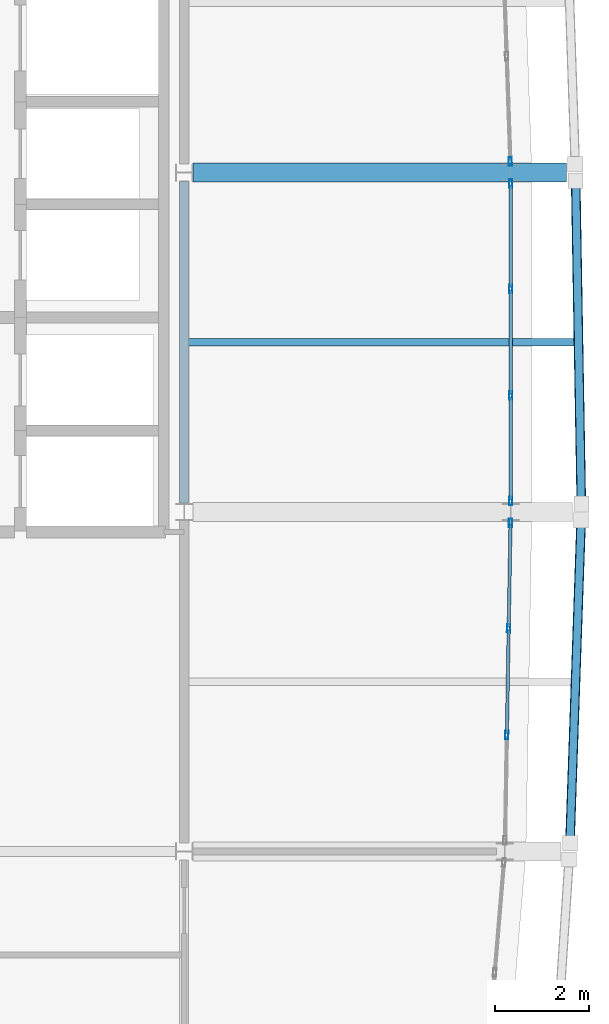
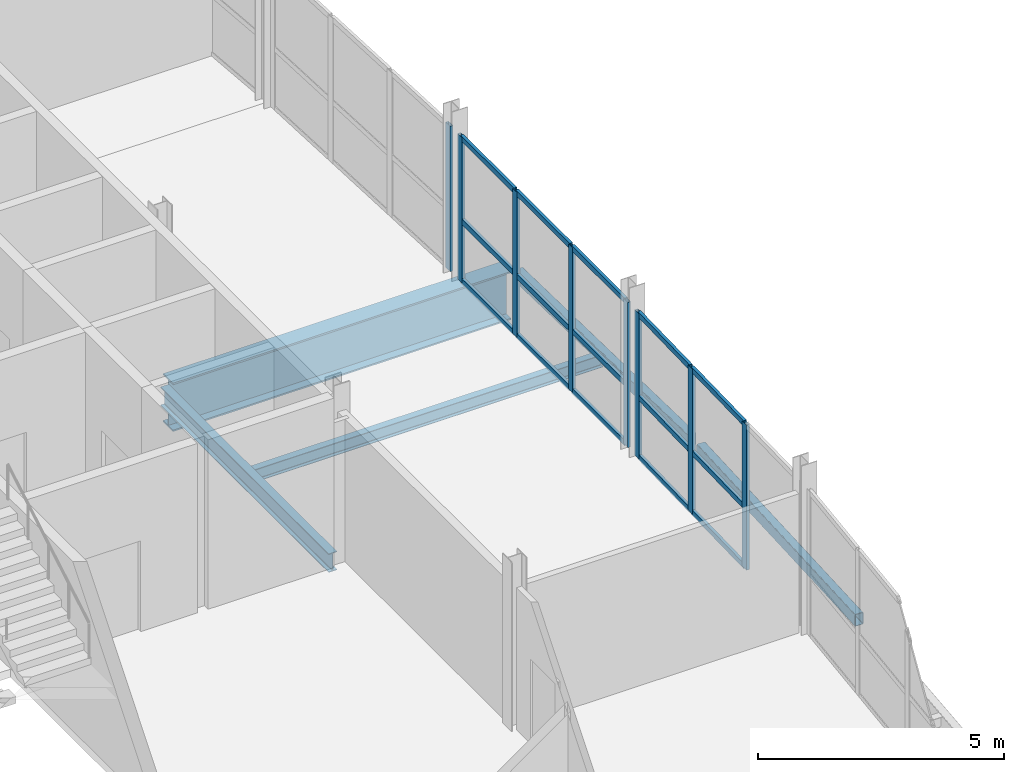
# One storey, part 5 of 19: 23 members, 5 beams, 3 elements without a shape of their own.
"""IFC4 building model written with IfcOpenShell, lengths in metres."""

from ifc_helpers import new_model, si_unit, direction, frame, origin, origin_2d, place, context, subcontext, project, spatial, hollow_rectangle, i_section, extrude, material, layer, layer_set, material_profile, profile_set, type_object, element, aggregate, save


model = new_model("IFC4")

# Units and contexts
model_context = context("Model", 3, precision=1e-05, world=origin(), true_north=direction((0.0, 1.0)))
body_context = subcontext(model_context, "Body", "Model", "MODEL_VIEW")
ifc_project = project(units=[si_unit("LENGTHUNIT", "METRE"), si_unit("AREAUNIT", "SQUARE_METRE"), si_unit("VOLUMEUNIT", "CUBIC_METRE"), si_unit("PLANEANGLEUNIT", "RADIAN"), si_unit("MASSUNIT", "GRAM", prefix="KILO")], contexts=[model_context])

# Site, building, storey
site_placement = place(None, origin())
site = spatial("IfcSite", under=ifc_project, at=site_placement, CompositionType="ELEMENT")
building_placement = place(site_placement, origin())
building = spatial("IfcBuilding", under=site, at=building_placement, Name="Quillay Park Conservatory", CompositionType="ELEMENT")
storey_placement = place(building_placement, frame((0.0, 0.0, 35.10009765625)))
storey = spatial("IfcBuildingStorey", under=building, at=storey_placement, Name="L08", CompositionType="ELEMENT", Elevation=35.10009765625)

# Beam
ifc_material_1 = material(Name="Steel ASTM A992 Grade 50", Category="steel")
ifc_material_profile_1 = material_profile(ifc_material_1, i_section(OverallWidth=0.166015625, OverallDepth=0.31298828125, WebThickness=0.006591796875, FlangeThickness=0.01123046875, FilletRadius=0.010009765625, at=origin_2d()), Name="W310x45")
ifc_profile_set_1 = profile_set([ifc_material_profile_1], Name="Steel ASTM A992 Grade 50")
beam_type_1 = type_object("IfcBeamType", Name="COMPOSITE FLOOR JOIST W310 X45", PredefinedType="JOIST", material=ifc_profile_set_1)
beam_1_placement = place(storey_placement, frame((19.845947265625, 88.800048828125, -0.37158203125), z_axis=(1.0, 0.0, 0.0), x_axis=(0.0, 1.0, 0.0)))
element("IfcBeam", 1, at=beam_1_placement, inside=storey, type_object=beam_type_1, Name="L08 beam BM-J-0631", PredefinedType="JOIST", context=body_context, shape_type="SweptSolid", body=[
    extrude(i_section(OverallWidth=0.166015625, OverallDepth=0.31298828125, WebThickness=0.006591796875, FlangeThickness=0.01123046875, FilletRadius=0.010009765625, at=origin_2d()), origin(), (0.0, 0.0, 1.0), 8.16650390625),
])

# Curtain wall, members
ifc_material_2 = material(Name="Thermally Broken Anodised Aluminium 6063-T6", Category="aluminium")
ifc_layer = layer(ifc_material_2, 0.179931640625)
ifc_layer_set = layer_set([ifc_layer], Name="UNITISED CURTAIN WALL TOWER (Thermally Broken Anodised Aluminium 6063-T6)")
curtain_wall_type = type_object("IfcCurtainWallType", Name="UNITISED CURTAIN WALL TOWER", PredefinedType="USERDEFINED", material=ifc_layer_set)
curtain_wall_1_placement = place(storey_placement, origin())
curtain_wall_1 = element("IfcCurtainWall", 2, at=curtain_wall_1_placement, inside=storey, type_object=curtain_wall_type, Name="L08 Unitised Curtain Wall 079", ObjectType="UNITISED CURTAIN WALL", PredefinedType="USERDEFINED")
ifc_material_3 = material(Name="Thermally Broken Anodised Aluminium 6063-T6", Category="aluminium")
ifc_material_profile_2 = material_profile(ifc_material_3, hollow_rectangle(XDim=0.070068359375, YDim=0.179931640625, WallThickness=0.00390625, at=origin_2d()), Name="AL70x180x4")
ifc_profile_set_2 = profile_set([ifc_material_profile_2], Name="Thermally Broken Anodised Aluminium 6063-T6")
member_type_1 = type_object("IfcMemberType", Name="CURTAIN WALL MULLION 70 X180", PredefinedType="MULLION", material=ifc_profile_set_2)
member_1_placement = place(storey_placement, frame((26.6708984375, 84.965087890625, 0.0), z_axis=(0.0, 0.0, 1.0), x_axis=(0.999849471711, -0.017350329071, 0.0)))
member_1 = element("IfcMember", 3, at=member_1_placement, type_object=member_type_1, Name="CW-T1 mullion 1", PredefinedType="MULLION", context=body_context, shape_type="SweptSolid", body=[
    extrude(hollow_rectangle(XDim=0.070068359375, YDim=0.179931640625, WallThickness=0.00390625, at=origin_2d()), origin(), (0.0, 0.0, 1.0), 3.598876953125),
])
member_2_placement = place(storey_placement, frame((26.632080078125, 82.7333984375, 0.0), z_axis=(0.0, 0.0, 1.0), x_axis=(0.999849471711, -0.017350329071, 0.0)))
member_2 = element("IfcMember", 4, at=member_2_placement, type_object=member_type_1, Name="CW-T1 mullion 2", PredefinedType="MULLION", context=body_context, shape_type="SweptSolid", body=[
    extrude(hollow_rectangle(XDim=0.070068359375, YDim=0.179931640625, WallThickness=0.00390625, at=origin_2d()), origin(), (0.0, 0.0, 1.0), 3.598876953125),
])
member_3_placement = place(storey_placement, frame((26.5927734375, 80.466552734375, 0.0), z_axis=(0.0, 0.0, 1.0), x_axis=(0.999849471711, -0.017350329071, 0.0)))
member_3 = element("IfcMember", 5, at=member_3_placement, type_object=member_type_1, Name="CW-T1 mullion 3", PredefinedType="MULLION", context=body_context, shape_type="SweptSolid", body=[
    extrude(hollow_rectangle(XDim=0.070068359375, YDim=0.179931640625, WallThickness=0.00390625, at=origin_2d()), origin(), (0.0, 0.0, 1.0), 3.598876953125),
])

curtain_wall_2_placement = place(storey_placement, origin())
curtain_wall_2 = element("IfcCurtainWall", 6, at=curtain_wall_2_placement, inside=storey, type_object=curtain_wall_type, Name="L08 Unitised Curtain Wall 080", ObjectType="UNITISED CURTAIN WALL", PredefinedType="USERDEFINED")
member_4_placement = place(storey_placement, frame((26.675048828125, 92.1650390625, 0.0), z_axis=(0.0, 0.0, 1.0), x_axis=(1.0, 0.0, 0.0)))
member_4 = element("IfcMember", 7, at=member_4_placement, type_object=member_type_1, Name="CW-T1 mullion 1", PredefinedType="MULLION", context=body_context, shape_type="SweptSolid", body=[
    extrude(hollow_rectangle(XDim=0.070068359375, YDim=0.179931640625, WallThickness=0.00390625, at=origin_2d()), origin(), (0.0, 0.0, 1.0), 3.598876953125),
])
member_5_placement = place(storey_placement, frame((26.675048828125, 89.933349609375, 0.0), z_axis=(0.0, 0.0, 1.0), x_axis=(1.0, 0.0, 0.0)))
member_5 = element("IfcMember", 8, at=member_5_placement, type_object=member_type_1, Name="CW-T1 mullion 2", PredefinedType="MULLION", context=body_context, shape_type="SweptSolid", body=[
    extrude(hollow_rectangle(XDim=0.070068359375, YDim=0.179931640625, WallThickness=0.00390625, at=origin_2d()), origin(), (0.0, 0.0, 1.0), 3.598876953125),
])
member_6_placement = place(storey_placement, frame((26.675048828125, 87.666748046875, 0.0), z_axis=(0.0, 0.0, 1.0), x_axis=(1.0, 0.0, 0.0)))
member_6 = element("IfcMember", 9, at=member_6_placement, type_object=member_type_1, Name="CW-T1 mullion 3", PredefinedType="MULLION", context=body_context, shape_type="SweptSolid", body=[
    extrude(hollow_rectangle(XDim=0.070068359375, YDim=0.179931640625, WallThickness=0.00390625, at=origin_2d()), origin(), (0.0, 0.0, 1.0), 3.598876953125),
])
member_7_placement = place(storey_placement, frame((26.675048828125, 85.43505859375, 0.0), z_axis=(0.0, 0.0, 1.0), x_axis=(1.0, 0.0, 0.0)))
member_7 = element("IfcMember", 10, at=member_7_placement, type_object=member_type_1, Name="CW-T1 mullion 4", PredefinedType="MULLION", context=body_context, shape_type="SweptSolid", body=[
    extrude(hollow_rectangle(XDim=0.070068359375, YDim=0.179931640625, WallThickness=0.00390625, at=origin_2d()), origin(), (0.0, 0.0, 1.0), 3.598876953125),
])

# Curtain wall, member
curtain_wall_3_placement = place(storey_placement, origin())
curtain_wall_3 = element("IfcCurtainWall", 11, at=curtain_wall_3_placement, inside=storey, type_object=curtain_wall_type, Name="L08 Unitised Curtain Wall 081", ObjectType="UNITISED CURTAIN WALL", PredefinedType="USERDEFINED")
member_8_placement = place(storey_placement, frame((26.6669921875, 92.634765625, 0.0), z_axis=(0.0, 0.0, 1.0), x_axis=(0.999397310446, 0.034713338537, 0.0)))
member_8 = element("IfcMember", 12, at=member_8_placement, type_object=member_type_1, Name="CW-T1 mullion 4", PredefinedType="MULLION", context=body_context, shape_type="SweptSolid", body=[
    extrude(hollow_rectangle(XDim=0.070068359375, YDim=0.179931640625, WallThickness=0.00390625, at=origin_2d()), origin(), (0.0, 0.0, 1.0), 3.598876953125),
])
aggregate(curtain_wall_3, [member_8])

# Member
ifc_material_4 = material(Name="Thermally Broken Anodised Aluminium 6063-T6", Category="aluminium")
ifc_material_profile_3 = material_profile(ifc_material_4, hollow_rectangle(XDim=0.070068359375, YDim=0.1298828125, WallThickness=0.003173828125, at=origin_2d()), Name="AL70x130x3.2")
ifc_profile_set_3 = profile_set([ifc_material_profile_3], Name="Thermally Broken Anodised Aluminium 6063-T6")
member_type_2 = type_object("IfcMemberType", Name="CURTAIN WALL TRANSOM 70 X130", PredefinedType="USERDEFINED", material=ifc_profile_set_3)
member_9_placement = place(storey_placement, frame((26.670166015625, 84.929931640625, 0.034912109375), z_axis=(-0.017277745819, -0.999850728609, 0.0), x_axis=(0.999850728609, -0.017277745819, 0.0)))
member_9 = element("IfcMember", 13, at=member_9_placement, type_object=member_type_2, Name="CW-T1 transom 1.1", ObjectType="TRANSOM", PredefinedType="USERDEFINED", context=body_context, shape_type="SweptSolid", body=[
    extrude(hollow_rectangle(XDim=0.070068359375, YDim=0.1298828125, WallThickness=0.003173828125, at=origin_2d()), origin(), (0.0, 0.0, 1.0), 2.161865234375),
])

member_10_placement = place(storey_placement, frame((26.670166015625, 84.929931640625, 1.511474609375), z_axis=(-0.017277745819, -0.999850728609, 0.0), x_axis=(0.999850728609, -0.017277745819, 0.0)))
member_10 = element("IfcMember", 14, at=member_10_placement, type_object=member_type_2, Name="CW-T1 transom 1.2", ObjectType="TRANSOM", PredefinedType="USERDEFINED", context=body_context, shape_type="SweptSolid", body=[
    extrude(hollow_rectangle(XDim=0.070068359375, YDim=0.1298828125, WallThickness=0.003173828125, at=origin_2d()), origin(), (0.0, 0.0, 1.0), 2.161865234375),
])

member_11_placement = place(storey_placement, frame((26.670166015625, 84.929931640625, 3.56396484375), z_axis=(-0.017277745819, -0.999850728609, 0.0), x_axis=(0.999850728609, -0.017277745819, 0.0)))
member_11 = element("IfcMember", 15, at=member_11_placement, type_object=member_type_2, Name="CW-T1 transom 1.3", ObjectType="TRANSOM", PredefinedType="USERDEFINED", context=body_context, shape_type="SweptSolid", body=[
    extrude(hollow_rectangle(XDim=0.070068359375, YDim=0.1298828125, WallThickness=0.003173828125, at=origin_2d()), origin(), (0.0, 0.0, 1.0), 2.161865234375),
])

member_12_placement = place(storey_placement, frame((26.631591796875, 82.6982421875, 0.034912109375), z_axis=(-0.017336507168, -0.999849711466, 0.0), x_axis=(0.999849711466, -0.017336507168, 0.0)))
member_12 = element("IfcMember", 16, at=member_12_placement, type_object=member_type_2, Name="CW-T1 transom 2.1", ObjectType="TRANSOM", PredefinedType="USERDEFINED", context=body_context, shape_type="SweptSolid", body=[
    extrude(hollow_rectangle(XDim=0.070068359375, YDim=0.1298828125, WallThickness=0.003173828125, at=origin_2d()), origin(), (0.0, 0.0, 1.0), 2.19677734375),
])

member_13_placement = place(storey_placement, frame((26.631591796875, 82.6982421875, 1.511474609375), z_axis=(-0.017336507168, -0.999849711466, 0.0), x_axis=(0.999849711466, -0.017336507168, 0.0)))
member_13 = element("IfcMember", 17, at=member_13_placement, type_object=member_type_2, Name="CW-T1 transom 2.2", ObjectType="TRANSOM", PredefinedType="USERDEFINED", context=body_context, shape_type="SweptSolid", body=[
    extrude(hollow_rectangle(XDim=0.070068359375, YDim=0.1298828125, WallThickness=0.003173828125, at=origin_2d()), origin(), (0.0, 0.0, 1.0), 2.19677734375),
])

member_14_placement = place(storey_placement, frame((26.631591796875, 82.6982421875, 3.56396484375), z_axis=(-0.017336507168, -0.999849711466, 0.0), x_axis=(0.999849711466, -0.017336507168, 0.0)))
member_14 = element("IfcMember", 18, at=member_14_placement, type_object=member_type_2, Name="CW-T1 transom 2.3", ObjectType="TRANSOM", PredefinedType="USERDEFINED", context=body_context, shape_type="SweptSolid", body=[
    extrude(hollow_rectangle(XDim=0.070068359375, YDim=0.1298828125, WallThickness=0.003173828125, at=origin_2d()), origin(), (0.0, 0.0, 1.0), 2.19677734375),
])

aggregate(curtain_wall_1, [member_1, member_2, member_3, member_9, member_10, member_11, member_12, member_13, member_14])

member_15_placement = place(storey_placement, frame((26.675048828125, 92.1298828125, 0.034912109375), z_axis=(0.0, -1.0, 0.0), x_axis=(1.0, 0.0, 0.0)))
member_15 = element("IfcMember", 19, at=member_15_placement, type_object=member_type_2, Name="CW-T1 transom 1.1", ObjectType="TRANSOM", PredefinedType="USERDEFINED", context=body_context, shape_type="SweptSolid", body=[
    extrude(hollow_rectangle(XDim=0.070068359375, YDim=0.1298828125, WallThickness=0.003173828125, at=origin_2d()), origin(), (0.0, 0.0, 1.0), 2.16162109375),
])

member_16_placement = place(storey_placement, frame((26.675048828125, 92.1298828125, 1.511474609375), z_axis=(0.0, -1.0, 0.0), x_axis=(1.0, 0.0, 0.0)))
member_16 = element("IfcMember", 20, at=member_16_placement, type_object=member_type_2, Name="CW-T1 transom 1.2", ObjectType="TRANSOM", PredefinedType="USERDEFINED", context=body_context, shape_type="SweptSolid", body=[
    extrude(hollow_rectangle(XDim=0.070068359375, YDim=0.1298828125, WallThickness=0.003173828125, at=origin_2d()), origin(), (0.0, 0.0, 1.0), 2.16162109375),
])

member_17_placement = place(storey_placement, frame((26.675048828125, 92.1298828125, 3.56396484375), z_axis=(0.0, -1.0, 0.0), x_axis=(1.0, 0.0, 0.0)))
member_17 = element("IfcMember", 21, at=member_17_placement, type_object=member_type_2, Name="CW-T1 transom 1.3", ObjectType="TRANSOM", PredefinedType="USERDEFINED", context=body_context, shape_type="SweptSolid", body=[
    extrude(hollow_rectangle(XDim=0.070068359375, YDim=0.1298828125, WallThickness=0.003173828125, at=origin_2d()), origin(), (0.0, 0.0, 1.0), 2.16162109375),
])

member_18_placement = place(storey_placement, frame((26.675048828125, 89.8984375, 0.034912109375), z_axis=(0.0, -1.0, 0.0), x_axis=(1.0, 0.0, 0.0)))
member_18 = element("IfcMember", 22, at=member_18_placement, type_object=member_type_2, Name="CW-T1 transom 2.1", ObjectType="TRANSOM", PredefinedType="USERDEFINED", context=body_context, shape_type="SweptSolid", body=[
    extrude(hollow_rectangle(XDim=0.070068359375, YDim=0.1298828125, WallThickness=0.003173828125, at=origin_2d()), origin(), (0.0, 0.0, 1.0), 2.19677734375),
])

member_19_placement = place(storey_placement, frame((26.675048828125, 89.8984375, 1.511474609375), z_axis=(0.0, -1.0, 0.0), x_axis=(1.0, 0.0, 0.0)))
member_19 = element("IfcMember", 23, at=member_19_placement, type_object=member_type_2, Name="CW-T1 transom 2.2", ObjectType="TRANSOM", PredefinedType="USERDEFINED", context=body_context, shape_type="SweptSolid", body=[
    extrude(hollow_rectangle(XDim=0.070068359375, YDim=0.1298828125, WallThickness=0.003173828125, at=origin_2d()), origin(), (0.0, 0.0, 1.0), 2.19677734375),
])

member_20_placement = place(storey_placement, frame((26.675048828125, 89.8984375, 3.56396484375), z_axis=(0.0, -1.0, 0.0), x_axis=(1.0, 0.0, 0.0)))
member_20 = element("IfcMember", 24, at=member_20_placement, type_object=member_type_2, Name="CW-T1 transom 2.3", ObjectType="TRANSOM", PredefinedType="USERDEFINED", context=body_context, shape_type="SweptSolid", body=[
    extrude(hollow_rectangle(XDim=0.070068359375, YDim=0.1298828125, WallThickness=0.003173828125, at=origin_2d()), origin(), (0.0, 0.0, 1.0), 2.19677734375),
])

member_21_placement = place(storey_placement, frame((26.675048828125, 87.631591796875, 0.034912109375), z_axis=(0.0, -1.0, 0.0), x_axis=(1.0, 0.0, 0.0)))
member_21 = element("IfcMember", 25, at=member_21_placement, type_object=member_type_2, Name="CW-T1 transom 3.1", ObjectType="TRANSOM", PredefinedType="USERDEFINED", context=body_context, shape_type="SweptSolid", body=[
    extrude(hollow_rectangle(XDim=0.070068359375, YDim=0.1298828125, WallThickness=0.003173828125, at=origin_2d()), origin(), (0.0, 0.0, 1.0), 2.16162109375),
])

member_22_placement = place(storey_placement, frame((26.675048828125, 87.631591796875, 1.511474609375), z_axis=(0.0, -1.0, 0.0), x_axis=(1.0, 0.0, 0.0)))
member_22 = element("IfcMember", 26, at=member_22_placement, type_object=member_type_2, Name="CW-T1 transom 3.2", ObjectType="TRANSOM", PredefinedType="USERDEFINED", context=body_context, shape_type="SweptSolid", body=[
    extrude(hollow_rectangle(XDim=0.070068359375, YDim=0.1298828125, WallThickness=0.003173828125, at=origin_2d()), origin(), (0.0, 0.0, 1.0), 2.16162109375),
])

member_23_placement = place(storey_placement, frame((26.675048828125, 87.631591796875, 3.56396484375), z_axis=(0.0, -1.0, 0.0), x_axis=(1.0, 0.0, 0.0)))
member_23 = element("IfcMember", 27, at=member_23_placement, type_object=member_type_2, Name="CW-T1 transom 3.3", ObjectType="TRANSOM", PredefinedType="USERDEFINED", context=body_context, shape_type="SweptSolid", body=[
    extrude(hollow_rectangle(XDim=0.070068359375, YDim=0.1298828125, WallThickness=0.003173828125, at=origin_2d()), origin(), (0.0, 0.0, 1.0), 2.16162109375),
])

aggregate(curtain_wall_2, [member_4, member_5, member_6, member_7, member_15, member_16, member_17, member_18, member_19, member_20, member_21, member_22, member_23])

# Beams
ifc_material_5 = material(Name="Steel S355J2H", Category="steel")
ifc_material_profile_4 = material_profile(ifc_material_5, hollow_rectangle(XDim=0.199951171875, YDim=0.300048828125, WallThickness=0.012451171875, InnerFilletRadius=0.012451171875, OuterFilletRadius=0.02490234375, at=origin_2d()), Name="RHS300x200x12.5")
ifc_profile_set_4 = profile_set([ifc_material_profile_4], Name="Steel S355J2H")
beam_type_2 = type_object("IfcBeamType", Name="PERIMETER SPANDREL BEAM RHS300", PredefinedType="SPANDREL", material=ifc_profile_set_4)
beam_2_placement = place(storey_placement, frame((27.931396484375, 78.185791015625, -0.364990234375), z_axis=(0.034696105314, 0.999397908881, 0.0), x_axis=(-0.999397908881, 0.034696105314, 0.0)))
element("IfcBeam", 28, at=beam_2_placement, inside=storey, type_object=beam_type_2, Name="L08 beam BM-SPE-0621", PredefinedType="SPANDREL", context=body_context, shape_type="SweptSolid", body=[
    extrude(hollow_rectangle(XDim=0.199951171875, YDim=0.300048828125, WallThickness=0.012451171875, InnerFilletRadius=0.012451171875, OuterFilletRadius=0.02490234375, at=origin_2d()), origin(), (0.0, 0.0, 1.0), 6.83251953125),
])
beam_3_placement = place(storey_placement, frame((28.171875, 85.385986328125, -0.364990234375), z_axis=(-0.017374379301, 0.99984905408, 0.0), x_axis=(-0.99984905408, -0.017374379301, 0.0)))
element("IfcBeam", 29, at=beam_3_placement, inside=storey, type_object=beam_type_2, Name="L08 beam BM-SPE-0627", PredefinedType="SPANDREL", context=body_context, shape_type="SweptSolid", body=[
    extrude(hollow_rectangle(XDim=0.199951171875, YDim=0.300048828125, WallThickness=0.012451171875, InnerFilletRadius=0.012451171875, OuterFilletRadius=0.02490234375, at=origin_2d()), origin(), (0.0, 0.0, 1.0), 6.8291015625),
])
ifc_material_6 = material(Name="Steel ASTM A992 Grade 50", Category="steel")
ifc_material_profile_5 = material_profile(ifc_material_6, i_section(OverallWidth=0.19189453125, OverallDepth=0.462890625, WebThickness=0.010498046875, FlangeThickness=0.017578125, FilletRadius=0.012939453125, at=origin_2d()), Name="W460x89")
ifc_profile_set_5 = profile_set([ifc_material_profile_5], Name="Steel ASTM A992 Grade 50")
beam_type_3 = type_object("IfcBeamType", Name="PRIMARY FLOOR GIRDER W460 X89", PredefinedType="BEAM", material=ifc_profile_set_5)
beam_4_placement = place(storey_placement, frame((19.75, 85.386962890625, -0.446533203125), z_axis=(0.0, 1.0, 0.0), x_axis=(-1.0, 0.0, 0.0)))
element("IfcBeam", 30, at=beam_4_placement, inside=storey, type_object=beam_type_3, Name="L08 beam BM-GNS-0629", PredefinedType="BEAM", context=body_context, shape_type="SweptSolid", body=[
    extrude(i_section(OverallWidth=0.19189453125, OverallDepth=0.462890625, WebThickness=0.010498046875, FlangeThickness=0.017578125, FilletRadius=0.012939453125, at=origin_2d()), origin(), (0.0, 0.0, 1.0), 6.8271484375),
])
ifc_material_7 = material(Name="Steel ASTM A572 Grade 50", Category="steel")
ifc_material_profile_6 = material_profile(ifc_material_7, i_section(OverallWidth=0.39990234375, OverallDepth=1.199951171875, WebThickness=0.02001953125, FlangeThickness=0.0380859375, at=origin_2d()), Name="IG1200x400")
ifc_profile_set_6 = profile_set([ifc_material_profile_6], Name="Steel ASTM A572 Grade 50")
beam_type_4 = type_object("IfcBeamType", Name="TRANSFER PLATE GIRDER IG1200", PredefinedType="USERDEFINED", material=ifc_profile_set_6)
beam_5_placement = place(storey_placement, frame((19.93701171875, 92.39990234375, -0.815185546875), z_axis=(1.0, 0.0, 0.0), x_axis=(0.0, 1.0, 0.0)))
element("IfcBeam", 31, at=beam_5_placement, inside=storey, type_object=beam_type_4, Name="L08 beam BM-TG2-0596", ObjectType="TRANSFER PLATE GIRDER", PredefinedType="USERDEFINED", context=body_context, shape_type="SweptSolid", body=[
    extrude(i_section(OverallWidth=0.39990234375, OverallDepth=1.199951171875, WebThickness=0.02001953125, FlangeThickness=0.0380859375, at=origin_2d()), origin(), (0.0, 0.0, 1.0), 7.926025390625),
])

save(model, "model.ifc")
